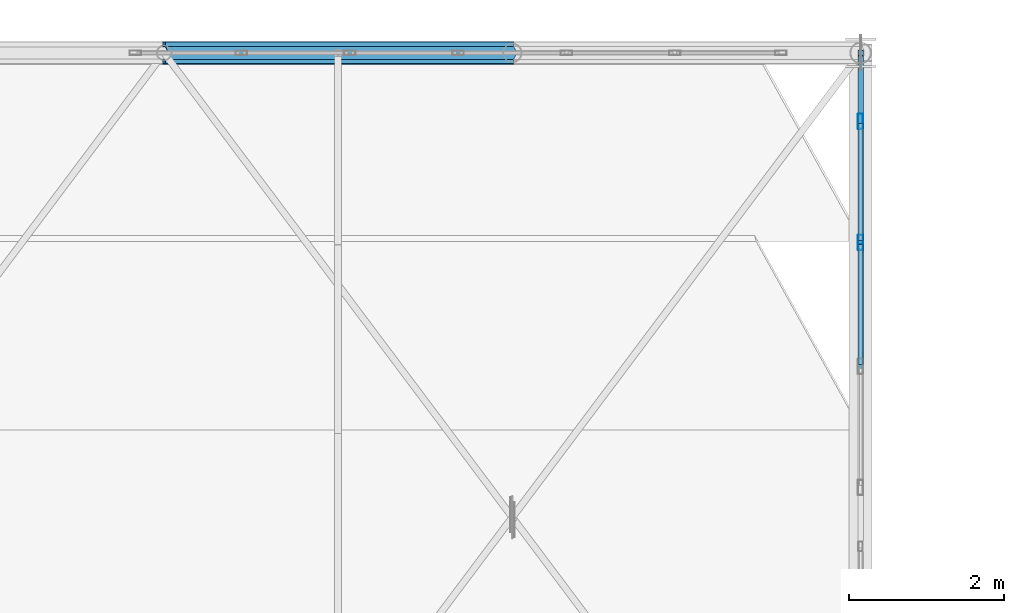
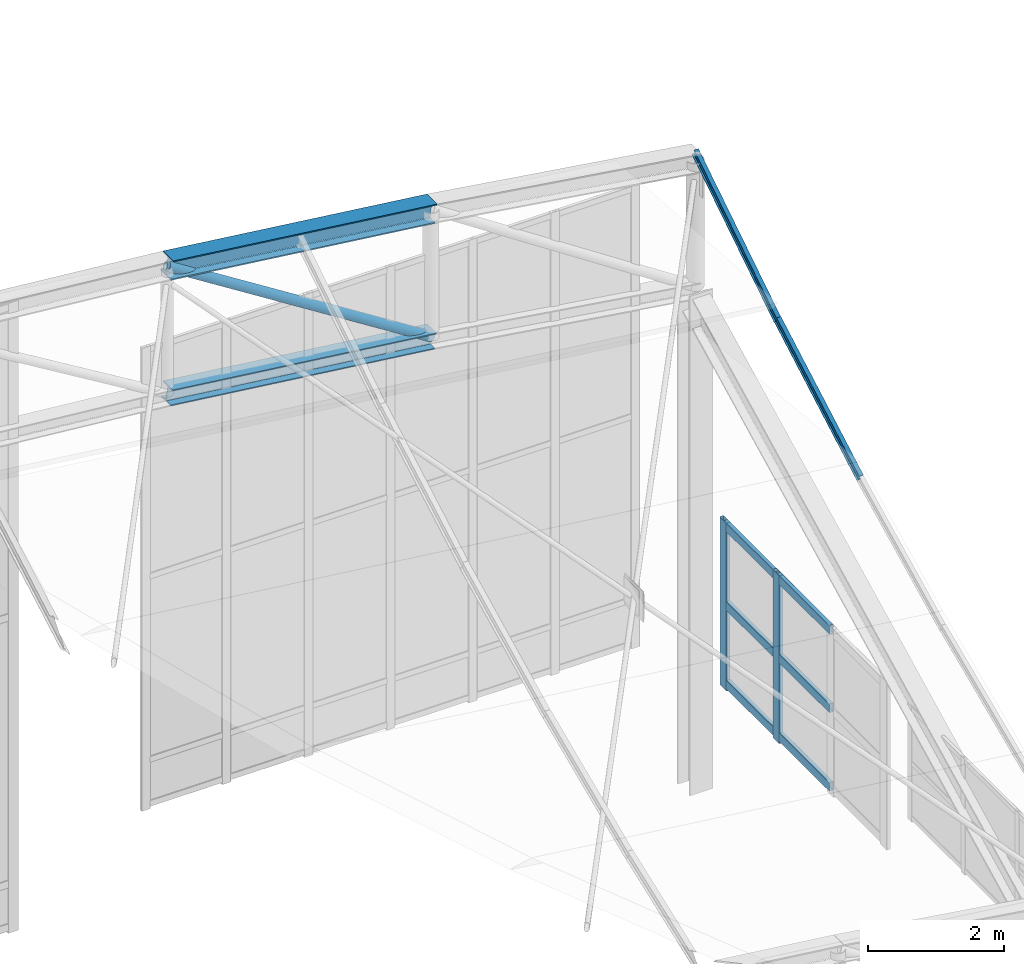
# One storey, part 201 of 262: 13 members, 1 element without a shape of its own.
"""IFC4 building model written with IfcOpenShell, lengths in metres."""

from ifc_helpers import new_model, si_unit, derived_unit, direction, frame, origin, origin_2d, place, context, subcontext, project, spatial, hollow_rectangle, hollow_circle, i_section, extrude, material, layer, layer_set, material_profile, profile_set, type_object, element, aggregate, save


model = new_model("IFC4")

# Units and contexts
model_context = context("Model", 3, precision=1e-05, world=origin(), true_north=direction((0.0, 1.0)))
body_context = subcontext(model_context, "Body", "Model", "MODEL_VIEW")
ifc_project = project(units=[si_unit("LENGTHUNIT", "METRE"), si_unit("AREAUNIT", "SQUARE_METRE"), si_unit("VOLUMEUNIT", "CUBIC_METRE"), si_unit("PLANEANGLEUNIT", "RADIAN"), si_unit("MASSUNIT", "GRAM", prefix="KILO"), derived_unit("THERMALTRANSMITTANCEUNIT", [(si_unit("POWERUNIT", "WATT"), 1), (si_unit("LENGTHUNIT", "METRE"), -2), (si_unit("THERMODYNAMICTEMPERATUREUNIT", "KELVIN"), -1)])], contexts=[model_context])

# Site, building, storey
site_placement = place(None, origin())
site = spatial("IfcSite", under=ifc_project, at=site_placement, CompositionType="ELEMENT")
building_placement = place(site_placement, origin())
building = spatial("IfcBuilding", under=site, at=building_placement, Name="Almenara Railside Exhibition Hall", CompositionType="ELEMENT")
storey_placement = place(building_placement, frame((0.0, 0.0, 21.699951171875)))
storey = spatial("IfcBuildingStorey", under=building, at=storey_placement, Name="RF", CompositionType="ELEMENT", Elevation=21.699951171875)

# Members
ifc_material_1 = material(Name="Structural steel S355JR", Category="steel")
ifc_material_profile_1 = material_profile(ifc_material_1, i_section(OverallWidth=0.280029296875, OverallDepth=0.280029296875, WebThickness=0.010498046875, FlangeThickness=0.01806640625, FilletRadius=0.02392578125, at=origin_2d()), Name="HEB 280")
ifc_profile_set_1 = profile_set([ifc_material_profile_1], Name="Structural steel S355JR")
member_type_1 = type_object("IfcMemberType", Name="Arched Gable Bottom Chord HEB 280 S355JR", PredefinedType="CHORD", material=ifc_profile_set_1)
member_1_placement = place(storey_placement, frame((57.0, 132.0, 7.822265625), z_axis=(0.992612220818, 0.0, -0.121330041965), x_axis=(0.0, 1.0, 0.0)))
element("IfcMember", 1, at=member_1_placement, inside=storey, type_object=member_type_1, Name="MEM-BC-V1-07-10", PredefinedType="CHORD", context=body_context, shape_type="SweptSolid", body=[
    extrude(i_section(OverallWidth=0.280029296875, OverallDepth=0.280029296875, WebThickness=0.010498046875, FlangeThickness=0.01806640625, FilletRadius=0.02392578125, at=origin_2d()), origin(), (0.0, 0.0, 1.0), 4.533447265625),
])
ifc_material_profile_2 = material_profile(ifc_material_1, i_section(OverallWidth=0.300048828125, OverallDepth=0.340087890625, WebThickness=0.011962890625, FlangeThickness=0.021484375, FilletRadius=0.027099609375, at=origin_2d()), Name="HEB 340")
ifc_profile_set_2 = profile_set([ifc_material_profile_2], Name="Structural steel S355JR")
member_type_2 = type_object("IfcMemberType", Name="Arched Gable Top Chord HEB 340 S355JR", PredefinedType="CHORD", material=ifc_profile_set_2)
member_2_placement = place(storey_placement, frame((57.0, 132.0, 10.122314453125), z_axis=(0.992612220818, 0.0, -0.121330041965), x_axis=(0.0, 1.0, 0.0)))
element("IfcMember", 2, at=member_2_placement, inside=storey, type_object=member_type_2, Name="MEM-TC-V1-07-10", PredefinedType="CHORD", context=body_context, shape_type="SweptSolid", body=[
    extrude(i_section(OverallWidth=0.300048828125, OverallDepth=0.340087890625, WebThickness=0.011962890625, FlangeThickness=0.021484375, FilletRadius=0.027099609375, at=origin_2d()), origin(), (0.0, 0.0, 1.0), 4.533447265625),
])
ifc_material_profile_3 = material_profile(ifc_material_1, i_section(OverallWidth=0.072998046875, OverallDepth=0.139892578125, WebThickness=0.004638671875, FlangeThickness=0.0068359375, FilletRadius=0.007080078125, at=origin_2d()), Name="IPE 140")
ifc_profile_set_3 = profile_set([ifc_material_profile_3], Name="Structural steel S355JR")
member_type_3 = type_object("IfcMemberType", Name="Canopy Edge Purlin IPE 140 S355JR", PredefinedType="PURLIN", material=ifc_profile_set_3)
member_3_placement = place(storey_placement, frame((66.0, 127.126708984375, 6.10546875), z_axis=(0.0, 0.870445855666, 0.492264169277), x_axis=(-1.0, 0.0, 0.0)))
element("IfcMember", 3, at=member_3_placement, inside=storey, type_object=member_type_3, Name="MEM-PR-V1-PR-IPE140-08-26", PredefinedType="PURLIN", context=body_context, shape_type="SweptSolid", body=[
    extrude(i_section(OverallWidth=0.072998046875, OverallDepth=0.139892578125, WebThickness=0.004638671875, FlangeThickness=0.0068359375, FilletRadius=0.007080078125, at=origin_2d()), origin(), (0.0, 0.0, 1.0), 2.799072265625),
])
member_4_placement = place(storey_placement, frame((66.0, 129.563232421875, 7.4736328125), z_axis=(0.0, 0.842265270347, 0.53906327492), x_axis=(-1.0, 0.0, 0.0)))
element("IfcMember", 4, at=member_4_placement, inside=storey, type_object=member_type_3, Name="MEM-PR-V1-PR-IPE140-08-27", PredefinedType="PURLIN", context=body_context, shape_type="SweptSolid", body=[
    extrude(i_section(OverallWidth=0.072998046875, OverallDepth=0.139892578125, WebThickness=0.004638671875, FlangeThickness=0.0068359375, FilletRadius=0.007080078125, at=origin_2d()), origin(), (0.0, 0.0, 1.0), 2.89306640625),
])

# Curtain wall, members
ifc_material_2 = material(Name="Bronze-anodised aluminium and low-E double glazing", Category="aluminium")
ifc_layer = layer(ifc_material_2, 0.179931640625, Name="Bronze-anodised aluminium and low-E double glazing")
ifc_layer_set = layer_set([ifc_layer], Name="Bronze-anodised aluminium and low-E double glazing")
curtain_wall_type = type_object("IfcCurtainWallType", Name="West Hall Clerestory Curtain Wall 4200x2400", PredefinedType="NOTDEFINED", material=ifc_layer_set)
curtain_wall_placement = place(storey_placement, origin())
curtain_wall = element("IfcCurtainWall", 5, at=curtain_wall_placement, inside=storey, type_object=curtain_wall_type, Name="Curtain wall CW-CL1-195", PredefinedType="NOTDEFINED")
ifc_material_3 = material(Name="Bronze-anodised aluminium", Category="aluminium")
ifc_material_profile_4 = material_profile(ifc_material_3, hollow_rectangle(XDim=0.070068359375, YDim=0.199951171875, WallThickness=0.00439453125, InnerFilletRadius=0.00439453125, OuterFilletRadius=0.009033203125, at=origin_2d()), Name="ALU-MUL 70x200x4.5")
ifc_profile_set_4 = profile_set([ifc_material_profile_4], Name="Bronze-anodised aluminium")
member_type_4 = type_object("IfcMemberType", Name="Curtain Wall Mullion 70x200x4.5", PredefinedType="MULLION", material=ifc_profile_set_4)
member_5_placement = place(storey_placement, frame((66.0, 129.550048828125, -0.0849609375), z_axis=(0.0, 0.0, 1.0), x_axis=(-1.0, 0.0, 0.0)))
member_5 = element("IfcMember", 6, at=member_5_placement, type_object=member_type_4, Name="CW-CL1-195 mullion 3", PredefinedType="MULLION", context=body_context, shape_type="SweptSolid", body=[
    extrude(hollow_rectangle(XDim=0.070068359375, YDim=0.199951171875, WallThickness=0.00439453125, InnerFilletRadius=0.00439453125, OuterFilletRadius=0.009033203125, at=origin_2d()), origin(), (0.0, 0.0, 1.0), 3.02490234375),
])
member_6_placement = place(storey_placement, frame((66.0, 131.114990234375, -0.0849609375), z_axis=(0.0, 0.0, 1.0), x_axis=(-1.0, 0.0, 0.0)))
member_6 = element("IfcMember", 7, at=member_6_placement, type_object=member_type_4, Name="CW-CL1-195 mullion 4", PredefinedType="MULLION", context=body_context, shape_type="SweptSolid", body=[
    extrude(hollow_rectangle(XDim=0.070068359375, YDim=0.199951171875, WallThickness=0.00439453125, InnerFilletRadius=0.00439453125, OuterFilletRadius=0.009033203125, at=origin_2d()), origin(), (0.0, 0.0, 1.0), 3.02490234375),
])
ifc_material_profile_5 = material_profile(ifc_material_3, hollow_rectangle(XDim=0.070068359375, YDim=0.159912109375, WallThickness=0.00390625, InnerFilletRadius=0.00390625, OuterFilletRadius=0.008056640625, at=origin_2d()), Name="ALU-TRN 70x160x4")
ifc_profile_set_5 = profile_set([ifc_material_profile_5], Name="Bronze-anodised aluminium")
member_type_5 = type_object("IfcMemberType", Name="Curtain Wall Transom 70x160x4", PredefinedType="USERDEFINED", material=ifc_profile_set_5)
member_7_placement = place(storey_placement, frame((66.0, 127.97705078125, 0.030029296875), z_axis=(0.0, 1.0, 0.0), x_axis=(-1.0, 0.0, 0.0)))
member_7 = element("IfcMember", 8, at=member_7_placement, type_object=member_type_5, Name="CW-CL1-195 transom 2.1", ObjectType="TRANSOM", PredefinedType="USERDEFINED", context=body_context, shape_type="SweptSolid", body=[
    extrude(hollow_rectangle(XDim=0.070068359375, YDim=0.159912109375, WallThickness=0.00390625, InnerFilletRadius=0.00390625, OuterFilletRadius=0.008056640625, at=origin_2d()), origin(), (0.0, 0.0, 1.0), 1.5458984375),
])
member_8_placement = place(storey_placement, frame((66.0, 127.97705078125, 1.445068359375), z_axis=(0.0, 1.0, 0.0), x_axis=(-1.0, 0.0, 0.0)))
member_8 = element("IfcMember", 9, at=member_8_placement, type_object=member_type_5, Name="CW-CL1-195 transom 2.2", ObjectType="TRANSOM", PredefinedType="USERDEFINED", context=body_context, shape_type="SweptSolid", body=[
    extrude(hollow_rectangle(XDim=0.070068359375, YDim=0.159912109375, WallThickness=0.00390625, InnerFilletRadius=0.00390625, OuterFilletRadius=0.008056640625, at=origin_2d()), origin(), (0.0, 0.0, 1.0), 1.5458984375),
])
member_9_placement = place(storey_placement, frame((66.0, 127.97705078125, 2.860107421875), z_axis=(0.0, 1.0, 0.0), x_axis=(-1.0, 0.0, 0.0)))
member_9 = element("IfcMember", 10, at=member_9_placement, type_object=member_type_5, Name="CW-CL1-195 transom 2.3", ObjectType="TRANSOM", PredefinedType="USERDEFINED", context=body_context, shape_type="SweptSolid", body=[
    extrude(hollow_rectangle(XDim=0.070068359375, YDim=0.159912109375, WallThickness=0.00390625, InnerFilletRadius=0.00390625, OuterFilletRadius=0.008056640625, at=origin_2d()), origin(), (0.0, 0.0, 1.0), 1.5458984375),
])
member_10_placement = place(storey_placement, frame((66.0, 129.576904296875, 0.030029296875), z_axis=(0.0, 1.0, 0.0), x_axis=(-1.0, 0.0, 0.0)))
member_10 = element("IfcMember", 11, at=member_10_placement, type_object=member_type_5, Name="CW-CL1-195 transom 3.1", ObjectType="TRANSOM", PredefinedType="USERDEFINED", context=body_context, shape_type="SweptSolid", body=[
    extrude(hollow_rectangle(XDim=0.070068359375, YDim=0.159912109375, WallThickness=0.00390625, InnerFilletRadius=0.00390625, OuterFilletRadius=0.008056640625, at=origin_2d()), origin(), (0.0, 0.0, 1.0), 1.510986328125),
])
member_11_placement = place(storey_placement, frame((66.0, 129.576904296875, 1.445068359375), z_axis=(0.0, 1.0, 0.0), x_axis=(-1.0, 0.0, 0.0)))
member_11 = element("IfcMember", 12, at=member_11_placement, type_object=member_type_5, Name="CW-CL1-195 transom 3.2", ObjectType="TRANSOM", PredefinedType="USERDEFINED", context=body_context, shape_type="SweptSolid", body=[
    extrude(hollow_rectangle(XDim=0.070068359375, YDim=0.159912109375, WallThickness=0.00390625, InnerFilletRadius=0.00390625, OuterFilletRadius=0.008056640625, at=origin_2d()), origin(), (0.0, 0.0, 1.0), 1.510986328125),
])
member_12_placement = place(storey_placement, frame((66.0, 129.576904296875, 2.860107421875), z_axis=(0.0, 1.0, 0.0), x_axis=(-1.0, 0.0, 0.0)))
member_12 = element("IfcMember", 13, at=member_12_placement, type_object=member_type_5, Name="CW-CL1-195 transom 3.3", ObjectType="TRANSOM", PredefinedType="USERDEFINED", context=body_context, shape_type="SweptSolid", body=[
    extrude(hollow_rectangle(XDim=0.070068359375, YDim=0.159912109375, WallThickness=0.00390625, InnerFilletRadius=0.00390625, OuterFilletRadius=0.008056640625, at=origin_2d()), origin(), (0.0, 0.0, 1.0), 1.510986328125),
])
aggregate(curtain_wall, [member_5, member_6, member_7, member_8, member_9, member_10, member_11, member_12])

# Member
ifc_material_profile_6 = material_profile(ifc_material_1, hollow_circle(Radius=0.084228515625, WallThickness=0.006103515625, at=origin_2d()), Name="CHS 168.3x6")
ifc_profile_set_6 = profile_set([ifc_material_profile_6], Name="Structural steel S355JR")
member_type_6 = type_object("IfcMemberType", Name="Truss End Diagonal CHS 168.3x6 S355JR", PredefinedType="BRACE", material=ifc_profile_set_6)
member_13_placement = place(storey_placement, frame((57.0, 132.0, 10.122314453125), z_axis=(0.844810788273, 0.0, -0.535065166141), x_axis=(0.0, 1.0, 0.0)))
element("IfcMember", 14, at=member_13_placement, inside=storey, type_object=member_type_6, Name="MEM-TD-V1-07-10", PredefinedType="BRACE", context=body_context, shape_type="SweptSolid", body=[
    extrude(hollow_circle(Radius=0.084228515625, WallThickness=0.006103515625, at=origin_2d()), origin(), (0.0, 0.0, 1.0), 5.32666015625),
])

save(model, "model.ifc")
